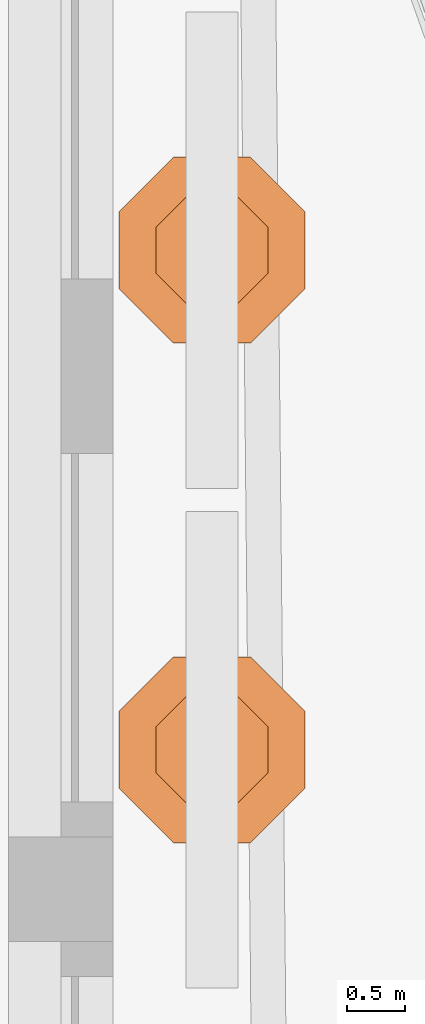
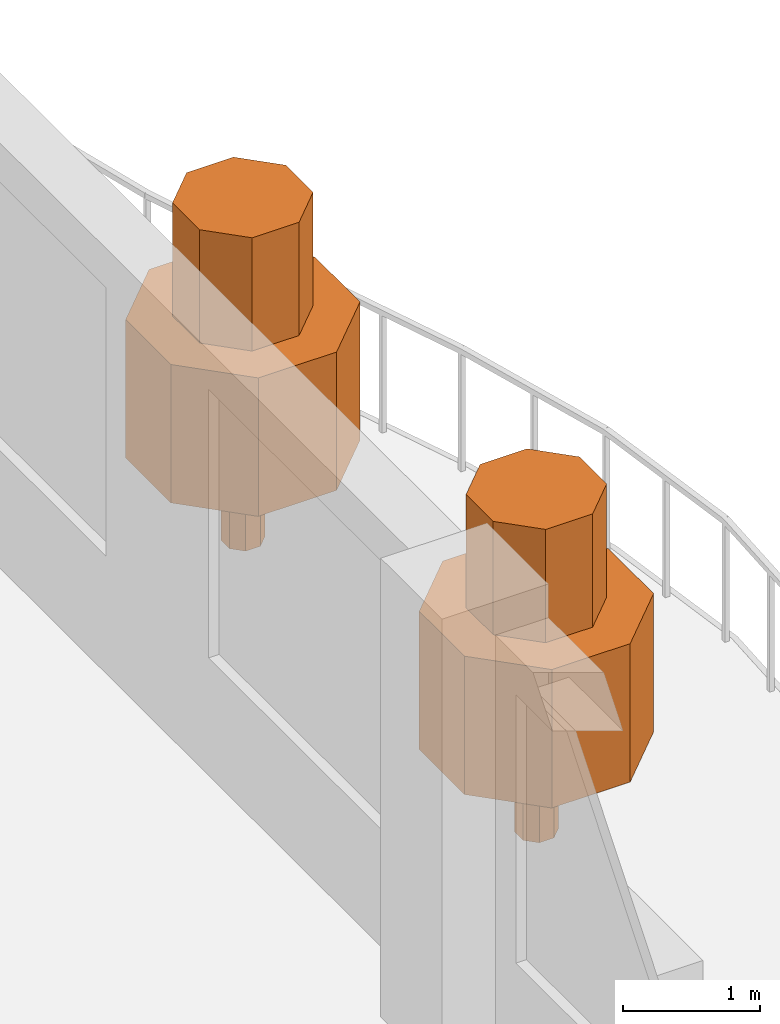
# One storey, part 15 of 15: 2 geographic elements.
"""IFC4 building model written with IfcOpenShell, lengths in metres."""

from ifc_helpers import new_model, si_unit, direction, frame, origin, place, context, subcontext, project, spatial, polyline, outline, extrude, material, type_object, element, save


model = new_model("IFC4")

# Units and contexts
model_context = context("Model", 3, precision=1e-05, world=origin(), true_north=direction((0.0, 1.0)))
body_context = subcontext(model_context, "Body", "Model", "MODEL_VIEW")
ifc_project = project(units=[si_unit("LENGTHUNIT", "METRE"), si_unit("AREAUNIT", "SQUARE_METRE"), si_unit("VOLUMEUNIT", "CUBIC_METRE"), si_unit("PLANEANGLEUNIT", "RADIAN"), si_unit("MASSUNIT", "GRAM", prefix="KILO")], contexts=[model_context])

# Site, building, storey
site_placement = place(None, origin())
site = spatial("IfcSite", under=ifc_project, at=site_placement, CompositionType="ELEMENT")
building_placement = place(site_placement, origin())
building = spatial("IfcBuilding", under=site, at=building_placement, Name="Cypress Arch Tower", CompositionType="ELEMENT")
storey_placement = place(building_placement, frame((0.0, 0.0, 309.0)))
storey = spatial("IfcBuildingStorey", under=building, at=storey_placement, Name="L70", CompositionType="ELEMENT", Elevation=309.0)

# Geographic elements
ifc_material = material(Name="Foliage and planting")
geographic_element_type = type_object("IfcGeographicElementType", Name="Balcony tree TR", PredefinedType="USERDEFINED", material=ifc_material)
for number, where, z_axis, x_axis, name in (
    (1, (25.60009765625, -3.300048828125, 0.60009765625), (0.0, 0.0, 1.0), (1.0, 0.0, 0.0), "Balcony tree L70-C17.1"),
    (2, (25.60009765625, 1.0, 0.60009765625), (0.0, 0.0, 1.0), (1.0, 0.0, 0.0), "Balcony tree L70-C17.2"),
):
    element("IfcGeographicElement", number, at=place(storey_placement, frame(where, z_axis=z_axis, x_axis=x_axis)), inside=storey, type_object=geographic_element_type, Name=name, ObjectType="TREE", PredefinedType="USERDEFINED", context=body_context, shape_type="SweptSolid", body=[
        extrude(outline(polyline([(0.14990234375, 0.06201171875), (0.06201171875, 0.14990234375), (-0.06201171875, 0.14990234375), (-0.14990234375, 0.06201171875), (-0.14990234375, -0.06201171875), (-0.06201171875, -0.14990234375), (0.06201171875, -0.14990234375), (0.14990234375, -0.06201171875), (0.14990234375, 0.06201171875)])), origin(), (0.0, 0.0, 1.0), 0.89990234375),
        extrude(outline(polyline([(0.800048828125, 0.331298828125), (0.331298828125, 0.800048828125), (-0.331298828125, 0.800048828125), (-0.800048828125, 0.331298828125), (-0.800048828125, -0.331298828125), (-0.331298828125, -0.800048828125), (0.331298828125, -0.800048828125), (0.800048828125, -0.331298828125), (0.800048828125, 0.331298828125)])), frame((0.0, 0.0, 0.800048828125)), (0.0, 0.0, 1.0), 1.237548828125),
        extrude(outline(polyline([(0.47998046875, 0.19873046875), (0.19873046875, 0.47998046875), (-0.19873046875, 0.47998046875), (-0.47998046875, 0.19873046875), (-0.47998046875, -0.19873046875), (-0.19873046875, -0.47998046875), (0.19873046875, -0.47998046875), (0.47998046875, -0.19873046875), (0.47998046875, 0.19873046875)])), frame((0.0, 0.0, 2.03759765625)), (0.0, 0.0, 1.0), 1.012451171875),
    ])

save(model, "model.ifc")
